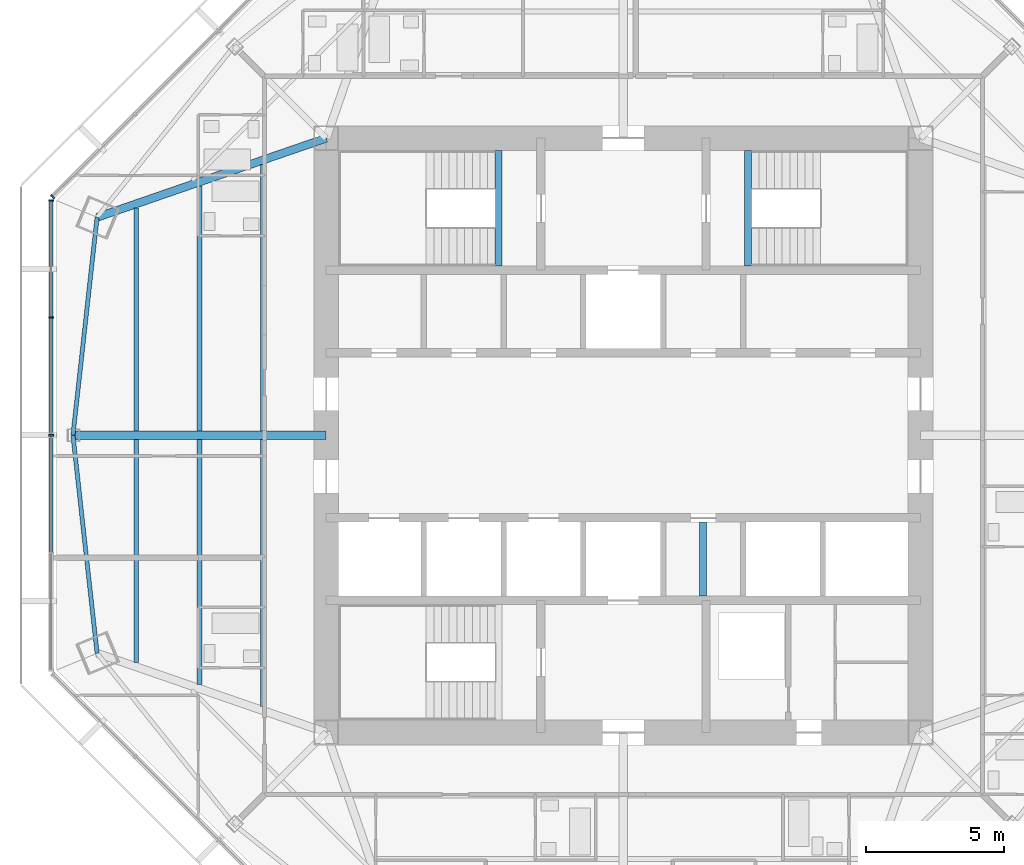
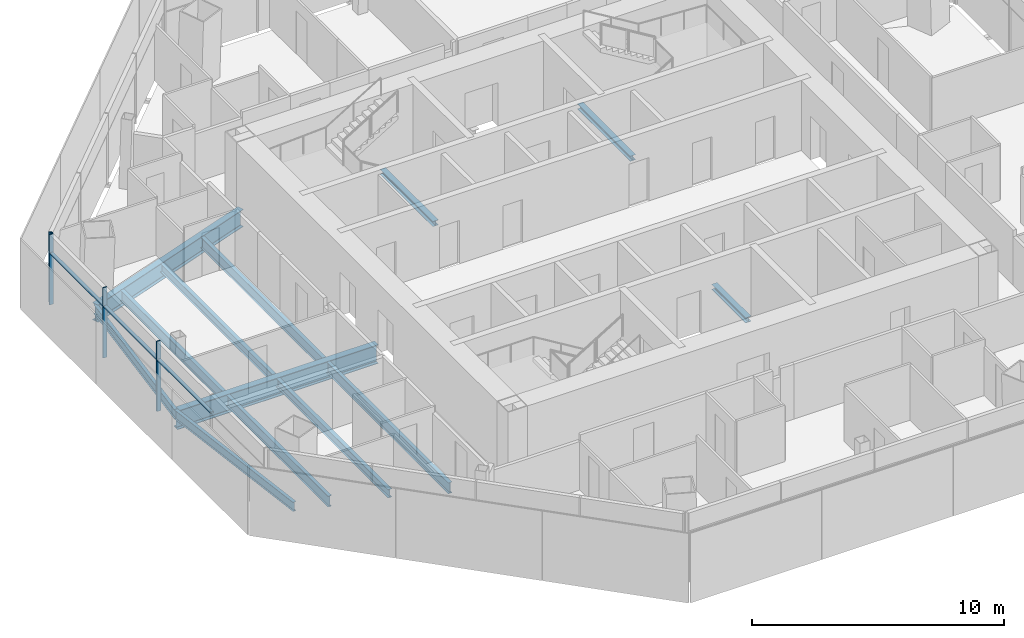
# One storey, part 3 of 14: 13 beams, 7 members, 2 elements without a shape of their own.
"""IFC4 building model written with IfcOpenShell, lengths in metres."""

from ifc_helpers import new_model, si_unit, direction, frame, origin, origin_2d, place, context, subcontext, project, spatial, rectangle, i_section, extrude, source, transform, mapped, material, material_profile, profile_set, type_object, type_shapes, element, aggregate, save


model = new_model("IFC4")

# Units and contexts
model_context = context("Model", 3, precision=1e-05, world=origin(), true_north=direction((0.0, 1.0)))
body_context = subcontext(model_context, "Body", "Model", "MODEL_VIEW")
ifc_project = project(units=[si_unit("LENGTHUNIT", "METRE"), si_unit("AREAUNIT", "SQUARE_METRE"), si_unit("VOLUMEUNIT", "CUBIC_METRE"), si_unit("PLANEANGLEUNIT", "RADIAN"), si_unit("MASSUNIT", "GRAM", prefix="KILO")], contexts=[model_context])

# Site, building, storey
site_placement = place(None, origin())
site = spatial("IfcSite", under=ifc_project, at=site_placement, CompositionType="ELEMENT")
building_placement = place(site_placement, origin())
building = spatial("IfcBuilding", under=site, at=building_placement, Name="Mashrafa Tower", CompositionType="ELEMENT")
storey_placement = place(building_placement, frame((0.0, 0.0, 255.0)))
storey = spatial("IfcBuildingStorey", under=building, at=storey_placement, Name="L61", CompositionType="ELEMENT", Elevation=255.0)

# Beams
ifc_material_1 = material(Name="Steel ASTM A992", Category="steel")
ifc_material_profile_1 = material_profile(ifc_material_1, i_section(OverallWidth=0.177734375, OverallDepth=0.406494140625, WebThickness=0.0078125, FlangeThickness=0.012939453125, FilletRadius=0.01025390625, at=origin_2d()), Name="W16X40")
ifc_profile_set_1 = profile_set([ifc_material_profile_1], Name="Steel ASTM A992")
beam_type_1 = type_object("IfcBeamType", Name="Beam W16X40", PredefinedType="BEAM", material=ifc_profile_set_1)
for number, where, z_axis, x_axis, name in (
    (1, (-15.4033203125, -9.055419921875, -0.4033203125), (0.0, 1.0, 0.0), (-1.0, 0.0, 0.0), "Floor beam L61 004"),
    (2, (-15.4033203125, 0.15234375, -0.4033203125), (0.0, 1.0, 0.0), (-1.0, 0.0, 0.0), "Floor beam L61 005"),
):
    element("IfcBeam", number, at=place(storey_placement, frame(where, z_axis=z_axis, x_axis=x_axis)), inside=storey, type_object=beam_type_1, Name=name, PredefinedType="BEAM", context=body_context, shape_type="SweptSolid", body=[
        extrude(i_section(OverallWidth=0.177734375, OverallDepth=0.406494140625, WebThickness=0.0078125, FlangeThickness=0.012939453125, FilletRadius=0.01025390625, at=origin_2d()), origin(), (0.0, 0.0, 1.0), 8.903076171875),
    ])
ifc_material_2 = material(Name="Steel ASTM A992", Category="steel")
ifc_material_profile_2 = material_profile(ifc_material_2, i_section(OverallWidth=0.15234375, OverallDepth=0.449462890625, WebThickness=0.007568359375, FlangeThickness=0.0107421875, FilletRadius=0.01025390625, at=origin_2d()), Name="W18X35")
ifc_profile_set_2 = profile_set([ifc_material_profile_2], Name="Steel ASTM A992")
beam_type_2 = type_object("IfcBeamType", Name="Beam W18X35", PredefinedType="BEAM", material=ifc_profile_set_2)
for number, where, z_axis, x_axis, name in (
    (3, (-20.0068359375, 0.0, -0.4248046875), (0.110159255418, -0.993913949216, 0.0), (0.993913949216, 0.110159255418, 0.0), "Spandrel beam L61 049"),
    (4, (-19.128662109375, 7.92333984375, -0.4248046875), (-0.110159255418, -0.993913949216, 0.0), (0.993913949216, -0.110159255418, 0.0), "Spandrel beam L61 051"),
):
    element("IfcBeam", number, at=place(storey_placement, frame(where, z_axis=z_axis, x_axis=x_axis)), inside=storey, type_object=beam_type_2, Name=name, PredefinedType="BEAM", context=body_context, shape_type="SweptSolid", body=[
        extrude(i_section(OverallWidth=0.15234375, OverallDepth=0.449462890625, WebThickness=0.007568359375, FlangeThickness=0.0107421875, FilletRadius=0.01025390625, at=origin_2d()), origin(), (0.0, 0.0, 1.0), 7.971923828125),
    ])
ifc_material_3 = material(Name="Steel ASTM A992", Category="steel")
ifc_material_profile_3 = material_profile(ifc_material_3, i_section(OverallWidth=0.165771484375, OverallDepth=0.5283203125, WebThickness=0.009765625, FlangeThickness=0.013671875, FilletRadius=0.012939453125, at=origin_2d()), Name="W21X50")
ifc_profile_set_3 = profile_set([ifc_material_profile_3], Name="Steel ASTM A992")
beam_type_3 = type_object("IfcBeamType", Name="Beam W21X50", PredefinedType="BEAM", material=ifc_profile_set_3)
for number, where, z_axis, x_axis, name in (
    (5, (-17.705078125, -8.260498046875, -0.464111328125), (0.0, 1.0, 0.0), (-1.0, 0.0, 0.0), "Floor beam L61 001"),
    (6, (-17.705078125, 0.15234375, -0.464111328125), (0.0, 1.0, 0.0), (-1.0, 0.0, 0.0), "Floor beam L61 002"),
):
    element("IfcBeam", number, at=place(storey_placement, frame(where, z_axis=z_axis, x_axis=x_axis)), inside=storey, type_object=beam_type_3, Name=name, PredefinedType="BEAM", context=body_context, shape_type="SweptSolid", body=[
        extrude(i_section(OverallWidth=0.165771484375, OverallDepth=0.5283203125, WebThickness=0.009765625, FlangeThickness=0.013671875, FilletRadius=0.012939453125, at=origin_2d()), origin(), (0.0, 0.0, 1.0), 8.108154296875),
    ])
for number, where, z_axis, x_axis, name in (
    (7, (-13.101806640625, -9.8505859375, -0.464111328125), (0.0, 1.0, 0.0), (-1.0, 0.0, 0.0), "Floor beam L61 006"),
    (8, (-13.101806640625, 0.15234375, -0.464111328125), (0.0, 1.0, 0.0), (-1.0, 0.0, 0.0), "Floor beam L61 007"),
):
    element("IfcBeam", number, at=place(storey_placement, frame(where, z_axis=z_axis, x_axis=x_axis)), inside=storey, type_object=beam_type_3, Name=name, PredefinedType="BEAM", context=body_context, shape_type="SweptSolid", body=[
        extrude(i_section(OverallWidth=0.165771484375, OverallDepth=0.5283203125, WebThickness=0.009765625, FlangeThickness=0.013671875, FilletRadius=0.012939453125, at=origin_2d()), origin(), (0.0, 0.0, 1.0), 9.6982421875),
    ])
ifc_material_4 = material(Name="Steel ASTM A992", Category="steel")
ifc_material_profile_4 = material_profile(ifc_material_4, i_section(OverallWidth=0.2919921875, OverallDepth=0.8408203125, WebThickness=0.0146484375, FlangeThickness=0.021728515625, FilletRadius=0.017333984375, at=origin_2d()), Name="W33X130")
ifc_profile_set_4 = profile_set([ifc_material_profile_4], Name="Steel ASTM A992")
beam_type_4 = type_object("IfcBeamType", Name="Beam W33X130", PredefinedType="BEAM", material=ifc_profile_set_4)
beam_1_placement = place(storey_placement, frame((-10.800048828125, 10.800048828125, -0.620361328125), z_axis=(-0.945205907345, -0.326474796454, 0.0), x_axis=(0.326474796454, -0.945205907345, 0.0)))
element("IfcBeam", 9, at=beam_1_placement, inside=storey, type_object=beam_type_4, Name="Radial girder L61 037", PredefinedType="BEAM", context=body_context, shape_type="SweptSolid", body=[
    extrude(i_section(OverallWidth=0.2919921875, OverallDepth=0.8408203125, WebThickness=0.0146484375, FlangeThickness=0.021728515625, FilletRadius=0.017333984375, at=origin_2d()), origin(), (0.0, 0.0, 1.0), 8.8115234375),
])
ifc_material_5 = material(Name="Steel ASTM A992", Category="steel")
ifc_material_profile_5 = material_profile(ifc_material_5, i_section(OverallWidth=0.3046875, OverallDepth=0.911865234375, WebThickness=0.015869140625, FlangeThickness=0.02392578125, FilletRadius=0.01904296875, at=origin_2d()), Name="W36X150")
ifc_profile_set_5 = profile_set([ifc_material_profile_5], Name="Steel ASTM A992")
beam_type_5 = type_object("IfcBeamType", Name="Beam W36X150", PredefinedType="BEAM", material=ifc_profile_set_5)
beam_2_placement = place(storey_placement, frame((-10.800048828125, 0.0, -0.656005859375), z_axis=(-1.0, 0.0, 0.0), x_axis=(0.0, -1.0, 0.0)))
element("IfcBeam", 10, at=beam_2_placement, inside=storey, type_object=beam_type_5, Name="Radial girder L61 036", PredefinedType="BEAM", context=body_context, shape_type="SweptSolid", body=[
    extrude(i_section(OverallWidth=0.3046875, OverallDepth=0.911865234375, WebThickness=0.015869140625, FlangeThickness=0.02392578125, FilletRadius=0.01904296875, at=origin_2d()), origin(), (0.0, 0.0, 1.0), 9.206787109375),
])
ifc_material_6 = material(Name="Steel ASTM A992", Category="steel")
ifc_material_profile_6 = material_profile(ifc_material_6, i_section(OverallWidth=0.25390625, OverallDepth=0.25390625, WebThickness=0.008544921875, FlangeThickness=0.01416015625, FilletRadius=0.010009765625, at=origin_2d()), Name="W10X49")
ifc_profile_set_6 = profile_set([ifc_material_profile_6], Name="Steel ASTM A992")
beam_type_6 = type_object("IfcBeamType", Name="Hoistway beam W10X49", PredefinedType="BEAM", material=ifc_profile_set_6)
beam_3_placement = place(storey_placement, frame((2.89990234375, -5.85009765625, -0.326904296875), z_axis=(0.0, 1.0, 0.0), x_axis=(-1.0, 0.0, 0.0)))
element("IfcBeam", 11, at=beam_3_placement, inside=storey, type_object=beam_type_6, Name="Hoistway beam L61 07", PredefinedType="BEAM", context=body_context, shape_type="SweptSolid", body=[
    extrude(i_section(OverallWidth=0.25390625, OverallDepth=0.25390625, WebThickness=0.008544921875, FlangeThickness=0.01416015625, FilletRadius=0.010009765625, at=origin_2d()), origin(), (0.0, 0.0, 1.0), 2.7001953125),
])
for number, where, z_axis, x_axis, name in (
    (12, (-4.530029296875, 6.14990234375, -0.326904296875), (0.0, 1.0, 0.0), (-1.0, 0.0, 0.0), "Stair S1 landing beam L61"),
    (13, (4.530029296875, 6.14990234375, -0.326904296875), (0.0, 1.0, 0.0), (-1.0, 0.0, 0.0), "Stair S2 landing beam L61"),
):
    element("IfcBeam", number, at=place(storey_placement, frame(where, z_axis=z_axis, x_axis=x_axis)), inside=storey, type_object=beam_type_6, Name=name, PredefinedType="BEAM", context=body_context, shape_type="SweptSolid", body=[
        extrude(i_section(OverallWidth=0.25390625, OverallDepth=0.25390625, WebThickness=0.008544921875, FlangeThickness=0.01416015625, FilletRadius=0.010009765625, at=origin_2d()), origin(), (0.0, 0.0, 1.0), 4.2001953125),
    ])

# Curtain wall, member
ifc_material_7 = material(Name="Unitised aluminium curtain wall", Category="aluminium")
curtain_wall_type = type_object("IfcCurtainWallType", Name="Apartment curtain wall, zone 3 CW-C 180 deep", PredefinedType="NOTDEFINED", material=ifc_material_7)
curtain_wall_1_placement = place(storey_placement, origin())
curtain_wall_1 = element("IfcCurtainWall", 14, at=curtain_wall_1_placement, inside=storey, type_object=curtain_wall_type, Name="Apartment curtain wall, zone 3 L61 north-west", PredefinedType="NOTDEFINED")
ifc_material_8 = material(Name="Extruded aluminium mullion", Category="aluminium")
ifc_material_profile_7 = material_profile(ifc_material_8, rectangle(XDim=0.179931640625, YDim=0.06005859375, at=origin_2d()), Name="Mullion 60x180")
ifc_profile_set_7 = profile_set([ifc_material_profile_7], Name="Extruded aluminium mullion")
member_type_1 = type_object("IfcMemberType", Name="Mullion CW-C 60 x 180", PredefinedType="MULLION", material=ifc_profile_set_7)
shared_shape_1 = source(origin(), body_context, "Body", "SweptSolid", [
    extrude(rectangle(XDim=0.179931640625, YDim=0.06005859375, at=origin_2d()), origin(), (0.0, 0.0, 1.0), 3.39990234375),
])
type_shapes(member_type_1, [shared_shape_1])
member_1_placement = place(storey_placement, frame((-20.74658203125, 8.670654296875, 0.0), z_axis=(0.0, 0.0, 1.0), x_axis=(0.707106781187, -0.707106781187, 0.0)))
member_1 = element("IfcMember", 15, at=member_1_placement, type_object=member_type_1, Name="CW-C mullion 5", PredefinedType="MULLION", context=body_context, shape_type="MappedRepresentation", body=[
    mapped(shared_shape_1, transform((0.0, 0.0, 0.0))),
])
aggregate(curtain_wall_1, [member_1])

# Curtain wall, members
curtain_wall_2_placement = place(storey_placement, origin())
curtain_wall_2 = element("IfcCurtainWall", 16, at=curtain_wall_2_placement, inside=storey, type_object=curtain_wall_type, Name="Apartment curtain wall, zone 3 L61 west", PredefinedType="NOTDEFINED")
member_2_placement = place(storey_placement, frame((-20.801025390625, 8.538818359375, 0.0), z_axis=(0.0, 0.0, 1.0), x_axis=(1.0, 0.0, 0.0)))
member_2 = element("IfcMember", 17, at=member_2_placement, type_object=member_type_1, Name="CW-C mullion 1", PredefinedType="MULLION", context=body_context, shape_type="MappedRepresentation", body=[
    mapped(shared_shape_1, transform((0.0, 0.0, 0.0))),
])
member_3_placement = place(storey_placement, frame((-20.801025390625, 4.284423828125, 0.0), z_axis=(0.0, 0.0, 1.0), x_axis=(1.0, 0.0, 0.0)))
member_3 = element("IfcMember", 18, at=member_3_placement, type_object=member_type_1, Name="CW-C mullion 2", PredefinedType="MULLION", context=body_context, shape_type="MappedRepresentation", body=[
    mapped(shared_shape_1, transform((0.0, 0.0, 0.0))),
])
member_4_placement = place(storey_placement, frame((-20.801025390625, 0.0, 0.0), z_axis=(0.0, 0.0, 1.0), x_axis=(1.0, 0.0, 0.0)))
member_4 = element("IfcMember", 19, at=member_4_placement, type_object=member_type_1, Name="CW-C mullion 3", PredefinedType="MULLION", context=body_context, shape_type="MappedRepresentation", body=[
    mapped(shared_shape_1, transform((0.0, 0.0, 0.0))),
])
ifc_material_9 = material(Name="Extruded aluminium transom", Category="aluminium")
ifc_material_profile_8 = material_profile(ifc_material_9, rectangle(XDim=0.14404296875, YDim=0.074951171875, at=origin_2d()), Name="Transom 75x144")
ifc_profile_set_8 = profile_set([ifc_material_profile_8], Name="Extruded aluminium transom")
member_type_2 = type_object("IfcMemberType", Name="Transom CW-C 75 x 144", PredefinedType="MULLION", material=ifc_profile_set_8)
shared_shape_2 = source(origin(), body_context, "Body", "SweptSolid", [
    extrude(rectangle(XDim=0.14404296875, YDim=0.074951171875, at=origin_2d()), origin(), (0.0, 0.0, 1.0), 4.1943359375),
])
member_5_placement = place(storey_placement, frame((-20.801025390625, 8.5087890625, 2.5), z_axis=(0.0, -1.0, 0.0), x_axis=(1.0, 0.0, 0.0)))
member_5 = element("IfcMember", 20, at=member_5_placement, type_object=member_type_2, Name="CW-C transom 1", PredefinedType="MULLION", context=body_context, shape_type="MappedRepresentation", body=[
    mapped(shared_shape_2, transform((0.0, 0.0, 0.0))),
])
shared_shape_3 = source(origin(), body_context, "Body", "SweptSolid", [
    extrude(rectangle(XDim=0.14404296875, YDim=0.074951171875, at=origin_2d()), origin(), (0.0, 0.0, 1.0), 4.224365234375),
])
type_shapes(member_type_2, [shared_shape_2, shared_shape_3])
member_6_placement = place(storey_placement, frame((-20.801025390625, 4.25439453125, 2.5), z_axis=(0.0, -1.0, 0.0), x_axis=(1.0, 0.0, 0.0)))
member_6 = element("IfcMember", 21, at=member_6_placement, type_object=member_type_2, Name="CW-C transom 2", PredefinedType="MULLION", context=body_context, shape_type="MappedRepresentation", body=[
    mapped(shared_shape_3, transform((0.0, 0.0, 0.0))),
])
member_7_placement = place(storey_placement, frame((-20.801025390625, -0.030029296875, 2.5), z_axis=(0.0, -1.0, 0.0), x_axis=(1.0, 0.0, 0.0)))
member_7 = element("IfcMember", 22, at=member_7_placement, type_object=member_type_2, Name="CW-C transom 3", PredefinedType="MULLION", context=body_context, shape_type="MappedRepresentation", body=[
    mapped(shared_shape_3, transform((0.0, 0.0, 0.0))),
])
aggregate(curtain_wall_2, [member_2, member_3, member_4, member_5, member_6, member_7])

save(model, "model.ifc")
